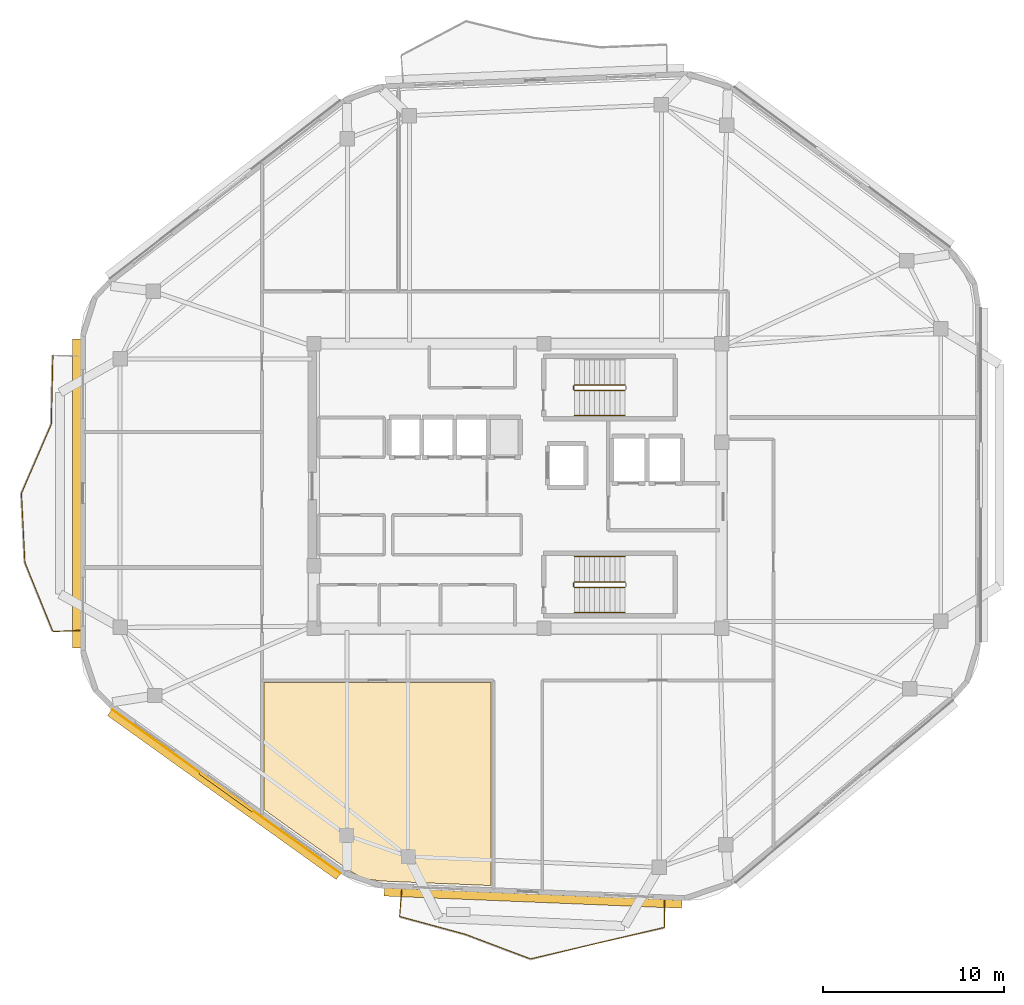
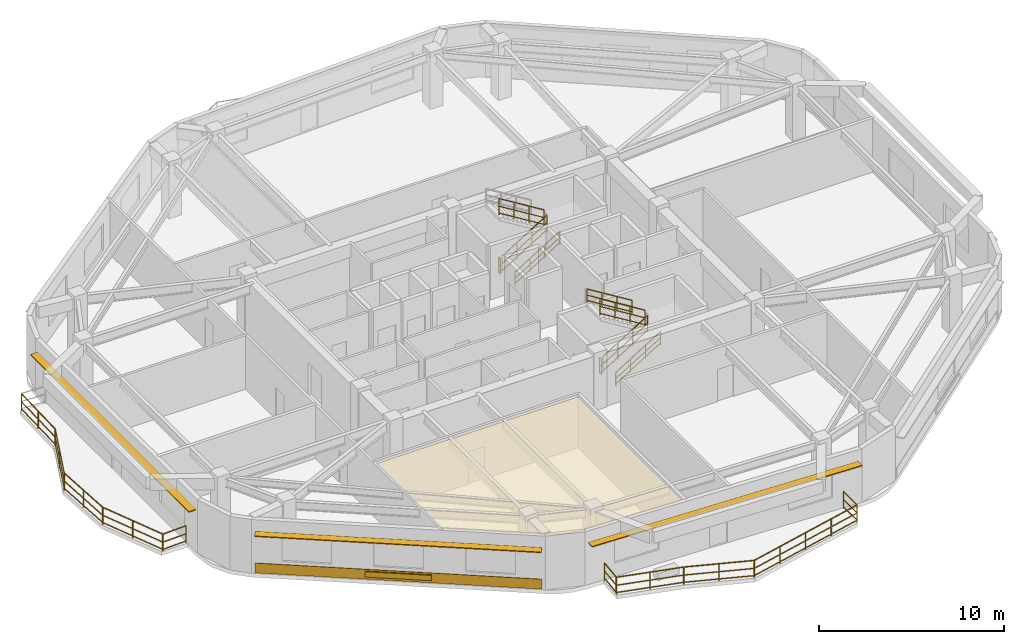
# One storey, part 7 of 10: 19 railings, 4 shading devices, 2 coverings.
"""IFC4 building model written with IfcOpenShell, lengths in metres."""

from ifc_helpers import new_model, si_unit, direction, frame, origin, origin_2d, place, context, subcontext, project, spatial, polyline, rectangle, outline, extrude, material, layer, layer_set, type_object, element, save


model = new_model("IFC4")

# Units and contexts
model_context = context("Model", 3, precision=1e-05, world=origin(), true_north=direction((0.0, 1.0)))
body_context = subcontext(model_context, "Body", "Model", "MODEL_VIEW")
ifc_project = project(units=[si_unit("LENGTHUNIT", "METRE"), si_unit("AREAUNIT", "SQUARE_METRE"), si_unit("VOLUMEUNIT", "CUBIC_METRE"), si_unit("PLANEANGLEUNIT", "RADIAN"), si_unit("MASSUNIT", "GRAM", prefix="KILO")], contexts=[model_context])

# Site, building, storey
site_placement = place(None, origin())
site = spatial("IfcSite", under=ifc_project, at=site_placement, CompositionType="ELEMENT")
building_placement = place(site_placement, origin())
building = spatial("IfcBuilding", under=site, at=building_placement, Name="Zulverin Broadcast Headquarters", CompositionType="ELEMENT")
storey_placement = place(building_placement, frame((0.0, 0.0, 282.0)))
storey = spatial("IfcBuildingStorey", under=building, at=storey_placement, Name="L72", CompositionType="ELEMENT", Elevation=282.0)

# Coverings
ifc_material_1 = material(Name="Perforated pale-metal acoustic baffle ceiling", Category="aluminium")
ifc_layer_1 = layer(ifc_material_1, 0.0400390625, Name="Perforated pale-metal acoustic baffle ceiling", Category="aluminium")
ifc_layer_set_1 = layer_set([ifc_layer_1], Name="Perforated pale-metal acoustic baffle ceiling")
covering_type_1 = type_object("IfcCoveringType", Name="COV-CEIL-ACOU", PredefinedType="CEILING", material=ifc_layer_set_1)
covering_1_placement = place(storey_placement, frame((0.0, 0.0, 3.360107421875)))
element("IfcCovering", 1, at=covering_1_placement, inside=storey, type_object=covering_type_1, Name="L72 Acoustic Baffle Ceiling 03", PredefinedType="CEILING", context=body_context, shape_type="SweptSolid", body=[
    extrude(outline(polyline([(28.1640625, 3.656005859375), (28.7880859375, 3.444091796875), (29.4599609375, 3.35205078125), (35.531982421875, 3.10009765625), (35.531982421875, 14.33203125), (22.968017578125, 14.33203125), (22.968017578125, 7.300048828125), (27.580078125, 3.99609375), (28.1640625, 3.656005859375)])), origin(), (0.0, 0.0, 1.0), 0.039794921875),
])
ifc_material_2 = material(Name="Brushed pale-aluminium rainscreen cladding", Category="aluminium")
ifc_layer_2 = layer(ifc_material_2, 0.0400390625, Name="Brushed pale-aluminium rainscreen cladding", Category="aluminium")
ifc_layer_set_2 = layer_set([ifc_layer_2], Name="Brushed pale-aluminium rainscreen cladding")
covering_type_2 = type_object("IfcCoveringType", Name="COV-CLAD-PALE", PredefinedType="CLADDING", material=ifc_layer_set_2)
covering_2_placement = place(storey_placement, frame((20.869873046875, 8.30419921875, 0.054931640625), z_axis=(0.0, 0.0, 1.0), x_axis=(0.812809068128, -0.582530187002, 0.0)))
element("IfcCovering", 2, at=covering_2_placement, inside=storey, type_object=covering_type_2, Name="L72 Brushed Pale-Aluminium Spandrel Cladding 8", PredefinedType="CLADDING", context=body_context, shape_type="SweptSolid", body=[
    extrude(rectangle(XDim=15.567626953125, YDim=0.0400390625, at=origin_2d()), origin(), (0.0, 0.0, 1.0), 0.64990234375),
])

# Railings
ifc_material_3 = material(Name="Brushed stainless steel & laminated glass balustrade", Category="steel")
railing_type_1 = type_object("IfcRailingType", Name="RL-GUARD-1150", PredefinedType="GUARDRAIL", material=ifc_material_3)
railing_1_placement = place(storey_placement, frame((11.27978515625, 32.43310546875, 0.0)))
element("IfcRailing", 3, at=railing_1_placement, inside=storey, type_object=railing_type_1, Name="L72 Vertical-Forest Balcony Guardrail BAL_W Segment 02", PredefinedType="GUARDRAIL", context=body_context, shape_type="SweptSolid", body=[
    extrude(rectangle(XDim=0.048095703125, YDim=0.048095703125, at=origin_2d()), frame((0.0, 0.0, 1.1259765625), z_axis=(-0.023286907792, -0.999728823194, 0.0), x_axis=(0.999728823194, -0.023286907792, 0.0)), (0.0, 0.0, 1.0), 3.795166015625),
    extrude(rectangle(XDim=0.0419921875, YDim=0.0419921875, at=origin_2d()), frame((0.0, 0.0, 0.597900390625), z_axis=(-0.023286907792, -0.999728823194, 0.0), x_axis=(0.999728823194, -0.023286907792, 0.0)), (0.0, 0.0, 1.0), 3.795166015625),
    extrude(rectangle(XDim=0.0419921875, YDim=0.0419921875, at=origin_2d()), frame((0.0, 0.0, 0.1201171875), z_axis=(-0.023286907792, -0.999728823194, 0.0), x_axis=(0.999728823194, -0.023286907792, 0.0)), (0.0, 0.0, 1.0), 3.795166015625),
    extrude(rectangle(XDim=0.0419921875, YDim=0.0419921875, at=origin_2d()), origin(), (0.0, 0.0, 1.0), 1.101806640625),
    extrude(rectangle(XDim=0.0419921875, YDim=0.0419921875, at=origin_2d()), frame((-0.044189453125, -1.89697265625, 0.0)), (0.0, 0.0, 1.0), 1.101806640625),
    extrude(rectangle(XDim=0.0419921875, YDim=0.0419921875, at=origin_2d()), frame((-0.08837890625, -3.794189453125, 0.0)), (0.0, 0.0, 1.0), 1.101806640625),
])
railing_2_placement = place(storey_placement, frame((11.18505859375, 28.610107421875, 0.0)))
element("IfcRailing", 4, at=railing_2_placement, inside=storey, type_object=railing_type_1, Name="L72 Vertical-Forest Balcony Guardrail BAL_W Segment 03", PredefinedType="GUARDRAIL", context=body_context, shape_type="SweptSolid", body=[
    extrude(rectangle(XDim=0.048095703125, YDim=0.048095703125, at=origin_2d()), frame((0.0, 0.0, 1.1259765625), z_axis=(-0.396596589329, -0.917992998521, 0.0), x_axis=(0.917992998521, -0.396596589329, 0.0)), (0.0, 0.0, 1.0), 4.135498046875),
    extrude(rectangle(XDim=0.0419921875, YDim=0.0419921875, at=origin_2d()), frame((0.0, 0.0, 0.597900390625), z_axis=(-0.396596589329, -0.917992998521, 0.0), x_axis=(0.917992998521, -0.396596589329, 0.0)), (0.0, 0.0, 1.0), 4.135498046875),
    extrude(rectangle(XDim=0.0419921875, YDim=0.0419921875, at=origin_2d()), frame((0.0, 0.0, 0.1201171875), z_axis=(-0.396596589329, -0.917992998521, 0.0), x_axis=(0.917992998521, -0.396596589329, 0.0)), (0.0, 0.0, 1.0), 4.135498046875),
    extrude(rectangle(XDim=0.0419921875, YDim=0.0419921875, at=origin_2d()), origin(), (0.0, 0.0, 1.0), 1.101806640625),
    extrude(rectangle(XDim=0.0419921875, YDim=0.0419921875, at=origin_2d()), frame((-0.820068359375, -1.898193359375, 0.0)), (0.0, 0.0, 1.0), 1.101806640625),
    extrude(rectangle(XDim=0.0419921875, YDim=0.0419921875, at=origin_2d()), frame((-1.64013671875, -3.79638671875, 0.0)), (0.0, 0.0, 1.0), 1.101806640625),
])
railing_3_placement = place(storey_placement, frame((9.539794921875, 24.784912109375, 0.0)))
element("IfcRailing", 5, at=railing_3_placement, inside=storey, type_object=railing_type_1, Name="L72 Vertical-Forest Balcony Guardrail BAL_W Segment 04", PredefinedType="GUARDRAIL", context=body_context, shape_type="SweptSolid", body=[
    extrude(rectangle(XDim=0.048095703125, YDim=0.048095703125, at=origin_2d()), frame((0.0, 0.0, 1.1259765625), z_axis=(0.049806199623, -0.998758901076, 0.0), x_axis=(0.998758901076, 0.049806199623, 0.0)), (0.0, 0.0, 1.0), 3.798828125),
    extrude(rectangle(XDim=0.0419921875, YDim=0.0419921875, at=origin_2d()), frame((0.0, 0.0, 0.597900390625), z_axis=(0.049806199623, -0.998758901076, 0.0), x_axis=(0.998758901076, 0.049806199623, 0.0)), (0.0, 0.0, 1.0), 3.798828125),
    extrude(rectangle(XDim=0.0419921875, YDim=0.0419921875, at=origin_2d()), frame((0.0, 0.0, 0.1201171875), z_axis=(0.049806199623, -0.998758901076, 0.0), x_axis=(0.998758901076, 0.049806199623, 0.0)), (0.0, 0.0, 1.0), 3.798828125),
    extrude(rectangle(XDim=0.0419921875, YDim=0.0419921875, at=origin_2d()), origin(), (0.0, 0.0, 1.0), 1.101806640625),
    extrude(rectangle(XDim=0.0419921875, YDim=0.0419921875, at=origin_2d()), frame((0.0947265625, -1.89697265625, 0.0)), (0.0, 0.0, 1.0), 1.101806640625),
    extrude(rectangle(XDim=0.0419921875, YDim=0.0419921875, at=origin_2d()), frame((0.189208984375, -3.794189453125, 0.0)), (0.0, 0.0, 1.0), 1.101806640625),
])
railing_4_placement = place(storey_placement, frame((9.735107421875, 20.9619140625, 0.0)))
element("IfcRailing", 6, at=railing_4_placement, inside=storey, type_object=railing_type_1, Name="L72 Vertical-Forest Balcony Guardrail BAL_W Segment 05", PredefinedType="GUARDRAIL", context=body_context, shape_type="SweptSolid", body=[
    extrude(rectangle(XDim=0.048095703125, YDim=0.048095703125, at=origin_2d()), frame((0.0, 0.0, 1.1259765625), z_axis=(0.375753525399, -0.926719638375, 0.0), x_axis=(0.926719638375, 0.375753525399, 0.0)), (0.0, 0.0, 1.0), 4.0966796875),
    extrude(rectangle(XDim=0.0419921875, YDim=0.0419921875, at=origin_2d()), frame((0.0, 0.0, 0.597900390625), z_axis=(0.375753525399, -0.926719638375, 0.0), x_axis=(0.926719638375, 0.375753525399, 0.0)), (0.0, 0.0, 1.0), 4.0966796875),
    extrude(rectangle(XDim=0.0419921875, YDim=0.0419921875, at=origin_2d()), frame((0.0, 0.0, 0.1201171875), z_axis=(0.375753525399, -0.926719638375, 0.0), x_axis=(0.926719638375, 0.375753525399, 0.0)), (0.0, 0.0, 1.0), 4.0966796875),
    extrude(rectangle(XDim=0.0419921875, YDim=0.0419921875, at=origin_2d()), origin(), (0.0, 0.0, 1.0), 1.101806640625),
    extrude(rectangle(XDim=0.0419921875, YDim=0.0419921875, at=origin_2d()), frame((0.76953125, -1.898193359375, 0.0)), (0.0, 0.0, 1.0), 1.101806640625),
    extrude(rectangle(XDim=0.0419921875, YDim=0.0419921875, at=origin_2d()), frame((1.539306640625, -3.79638671875, 0.0)), (0.0, 0.0, 1.0), 1.101806640625),
])
railing_5_placement = place(storey_placement, frame((11.294921875, 17.15234375, 0.0)))
element("IfcRailing", 7, at=railing_5_placement, inside=storey, type_object=railing_type_1, Name="L72 Vertical-Forest Balcony Guardrail BAL_W Segment 06", PredefinedType="GUARDRAIL", context=body_context, shape_type="SweptSolid", body=[
    extrude(rectangle(XDim=0.048095703125, YDim=0.048095703125, at=origin_2d()), frame((0.0, 0.0, 1.1259765625), z_axis=(0.999181155166, 0.040460093435, 0.0), x_axis=(-0.040460093435, 0.999181155166, 0.0)), (0.0, 0.0, 1.0), 1.46630859375),
    extrude(rectangle(XDim=0.0419921875, YDim=0.0419921875, at=origin_2d()), frame((0.0, 0.0, 0.597900390625), z_axis=(0.999181155166, 0.040460093435, 0.0), x_axis=(-0.040460093435, 0.999181155166, 0.0)), (0.0, 0.0, 1.0), 1.46630859375),
    extrude(rectangle(XDim=0.0419921875, YDim=0.0419921875, at=origin_2d()), frame((0.0, 0.0, 0.1201171875), z_axis=(0.999181155166, 0.040460093435, 0.0), x_axis=(-0.040460093435, 0.999181155166, 0.0)), (0.0, 0.0, 1.0), 1.46630859375),
    extrude(rectangle(XDim=0.0419921875, YDim=0.0419921875, at=origin_2d()), origin(), (0.0, 0.0, 1.0), 1.101806640625),
    extrude(rectangle(XDim=0.0419921875, YDim=0.0419921875, at=origin_2d()), frame((1.465087890625, 0.059326171875, 0.0)), (0.0, 0.0, 1.0), 1.101806640625),
])
railing_6_placement = place(storey_placement, frame((30.580078125, 2.86572265625, 0.0)))
element("IfcRailing", 8, at=railing_6_placement, inside=storey, type_object=railing_type_1, Name="L72 Vertical-Forest Balcony Guardrail BAL_S Segment 01", PredefinedType="GUARDRAIL", context=body_context, shape_type="SweptSolid", body=[
    extrude(rectangle(XDim=0.048095703125, YDim=0.048095703125, at=origin_2d()), frame((0.0, 0.0, 1.1259765625), z_axis=(-0.08159832835, -0.996665296281, 0.0), x_axis=(0.996665296281, -0.08159832835, 0.0)), (0.0, 0.0, 1.0), 1.466064453125),
    extrude(rectangle(XDim=0.0419921875, YDim=0.0419921875, at=origin_2d()), frame((0.0, 0.0, 0.597900390625), z_axis=(-0.08159832835, -0.996665296281, 0.0), x_axis=(0.996665296281, -0.08159832835, 0.0)), (0.0, 0.0, 1.0), 1.466064453125),
    extrude(rectangle(XDim=0.0419921875, YDim=0.0419921875, at=origin_2d()), frame((0.0, 0.0, 0.1201171875), z_axis=(-0.08159832835, -0.996665296281, 0.0), x_axis=(0.996665296281, -0.08159832835, 0.0)), (0.0, 0.0, 1.0), 1.466064453125),
    extrude(rectangle(XDim=0.0419921875, YDim=0.0419921875, at=origin_2d()), origin(), (0.0, 0.0, 1.0), 1.101806640625),
    extrude(rectangle(XDim=0.0419921875, YDim=0.0419921875, at=origin_2d()), frame((-0.11962890625, -1.461181640625, 0.0)), (0.0, 0.0, 1.0), 1.101806640625),
])
railing_7_placement = place(storey_placement, frame((30.473876953125, 1.385498046875, 0.0)))
element("IfcRailing", 9, at=railing_7_placement, inside=storey, type_object=railing_type_1, Name="L72 Vertical-Forest Balcony Guardrail BAL_S Segment 02", PredefinedType="GUARDRAIL", context=body_context, shape_type="SweptSolid", body=[
    extrude(rectangle(XDim=0.048095703125, YDim=0.048095703125, at=origin_2d()), frame((0.0, 0.0, 1.1259765625), z_axis=(0.96510111306, -0.261877531627, 0.0), x_axis=(0.261877531627, 0.96510111306, 0.0)), (0.0, 0.0, 1.0), 3.73291015625),
    extrude(rectangle(XDim=0.0419921875, YDim=0.0419921875, at=origin_2d()), frame((0.0, 0.0, 0.597900390625), z_axis=(0.96510111306, -0.261877531627, 0.0), x_axis=(0.261877531627, 0.96510111306, 0.0)), (0.0, 0.0, 1.0), 3.73291015625),
    extrude(rectangle(XDim=0.0419921875, YDim=0.0419921875, at=origin_2d()), frame((0.0, 0.0, 0.1201171875), z_axis=(0.96510111306, -0.261877531627, 0.0), x_axis=(0.261877531627, 0.96510111306, 0.0)), (0.0, 0.0, 1.0), 3.73291015625),
    extrude(rectangle(XDim=0.0419921875, YDim=0.0419921875, at=origin_2d()), origin(), (0.0, 0.0, 1.0), 1.101806640625),
    extrude(rectangle(XDim=0.0419921875, YDim=0.0419921875, at=origin_2d()), frame((1.80126953125, -0.48876953125, 0.0)), (0.0, 0.0, 1.0), 1.101806640625),
    extrude(rectangle(XDim=0.0419921875, YDim=0.0419921875, at=origin_2d()), frame((3.6025390625, -0.9775390625, 0.0)), (0.0, 0.0, 1.0), 1.101806640625),
])
railing_8_placement = place(storey_placement, frame((34.10498046875, 0.398681640625, 0.0)))
element("IfcRailing", 10, at=railing_8_placement, inside=storey, type_object=railing_type_1, Name="L72 Vertical-Forest Balcony Guardrail BAL_S Segment 03", PredefinedType="GUARDRAIL", context=body_context, shape_type="SweptSolid", body=[
    extrude(rectangle(XDim=0.048095703125, YDim=0.048095703125, at=origin_2d()), frame((0.0, 0.0, 1.1259765625), z_axis=(0.935636632509, -0.352964717653, 0.0), x_axis=(0.352964717653, 0.935636632509, 0.0)), (0.0, 0.0, 1.0), 3.834716796875),
    extrude(rectangle(XDim=0.0419921875, YDim=0.0419921875, at=origin_2d()), frame((0.0, 0.0, 0.597900390625), z_axis=(0.935636632509, -0.352964717653, 0.0), x_axis=(0.352964717653, 0.935636632509, 0.0)), (0.0, 0.0, 1.0), 3.834716796875),
    extrude(rectangle(XDim=0.0419921875, YDim=0.0419921875, at=origin_2d()), frame((0.0, 0.0, 0.1201171875), z_axis=(0.935636632509, -0.352964717653, 0.0), x_axis=(0.352964717653, 0.935636632509, 0.0)), (0.0, 0.0, 1.0), 3.834716796875),
    extrude(rectangle(XDim=0.0419921875, YDim=0.0419921875, at=origin_2d()), origin(), (0.0, 0.0, 1.0), 1.101806640625),
    extrude(rectangle(XDim=0.0419921875, YDim=0.0419921875, at=origin_2d()), frame((1.7939453125, -0.6767578125, 0.0)), (0.0, 0.0, 1.0), 1.101806640625),
    extrude(rectangle(XDim=0.0419921875, YDim=0.0419921875, at=origin_2d()), frame((3.587890625, -1.353515625, 0.0)), (0.0, 0.0, 1.0), 1.101806640625),
])
railing_9_placement = place(storey_placement, frame((37.721435546875, -0.956787109375, 0.0)))
element("IfcRailing", 11, at=railing_9_placement, inside=storey, type_object=railing_type_1, Name="L72 Vertical-Forest Balcony Guardrail BAL_S Segment 04", PredefinedType="GUARDRAIL", context=body_context, shape_type="SweptSolid", body=[
    extrude(rectangle(XDim=0.048095703125, YDim=0.048095703125, at=origin_2d()), frame((0.0, 0.0, 1.1259765625), z_axis=(0.973361871209, 0.229274219391, 0.0), x_axis=(-0.229274219391, 0.973361871209, 0.0)), (0.0, 0.0, 1.0), 7.589111328125),
    extrude(rectangle(XDim=0.0419921875, YDim=0.0419921875, at=origin_2d()), frame((0.0, 0.0, 0.597900390625), z_axis=(0.973361871209, 0.229274219391, 0.0), x_axis=(-0.229274219391, 0.973361871209, 0.0)), (0.0, 0.0, 1.0), 7.589111328125),
    extrude(rectangle(XDim=0.0419921875, YDim=0.0419921875, at=origin_2d()), frame((0.0, 0.0, 0.1201171875), z_axis=(0.973361871209, 0.229274219391, 0.0), x_axis=(-0.229274219391, 0.973361871209, 0.0)), (0.0, 0.0, 1.0), 7.589111328125),
    extrude(rectangle(XDim=0.0419921875, YDim=0.0419921875, at=origin_2d()), origin(), (0.0, 0.0, 1.0), 1.101806640625),
    extrude(rectangle(XDim=0.0419921875, YDim=0.0419921875, at=origin_2d()), frame((1.8466796875, 0.43505859375, 0.0)), (0.0, 0.0, 1.0), 1.101806640625),
    extrude(rectangle(XDim=0.0419921875, YDim=0.0419921875, at=origin_2d()), frame((3.693359375, 0.8701171875, 0.0)), (0.0, 0.0, 1.0), 1.101806640625),
    extrude(rectangle(XDim=0.0419921875, YDim=0.0419921875, at=origin_2d()), frame((5.540283203125, 1.304931640625, 0.0)), (0.0, 0.0, 1.0), 1.101806640625),
    extrude(rectangle(XDim=0.0419921875, YDim=0.0419921875, at=origin_2d()), frame((7.386962890625, 1.739990234375, 0.0)), (0.0, 0.0, 1.0), 1.101806640625),
])
railing_10_placement = place(storey_placement, frame((45.123046875, 0.8017578125, 0.0)))
element("IfcRailing", 12, at=railing_10_placement, inside=storey, type_object=railing_type_1, Name="L72 Vertical-Forest Balcony Guardrail BAL_S Segment 05", PredefinedType="GUARDRAIL", context=body_context, shape_type="SweptSolid", body=[
    extrude(rectangle(XDim=0.048095703125, YDim=0.048095703125, at=origin_2d()), frame((0.0, 0.0, 1.1259765625), z_axis=(0.000499500437, 0.99999987525, 0.0), x_axis=(-0.99999987525, 0.000499500437, 0.0)), (0.0, 0.0, 1.0), 1.46630859375),
    extrude(rectangle(XDim=0.0419921875, YDim=0.0419921875, at=origin_2d()), frame((0.0, 0.0, 0.597900390625), z_axis=(0.000499500437, 0.99999987525, 0.0), x_axis=(-0.99999987525, 0.000499500437, 0.0)), (0.0, 0.0, 1.0), 1.46630859375),
    extrude(rectangle(XDim=0.0419921875, YDim=0.0419921875, at=origin_2d()), frame((0.0, 0.0, 0.1201171875), z_axis=(0.000499500437, 0.99999987525, 0.0), x_axis=(-0.99999987525, 0.000499500437, 0.0)), (0.0, 0.0, 1.0), 1.46630859375),
    extrude(rectangle(XDim=0.0419921875, YDim=0.0419921875, at=origin_2d()), origin(), (0.0, 0.0, 1.0), 1.101806640625),
    extrude(rectangle(XDim=0.0419921875, YDim=0.0419921875, at=origin_2d()), frame((0.000732421875, 1.46630859375, 0.0)), (0.0, 0.0, 1.0), 1.101806640625),
])
ifc_material_4 = material(Name="Painted galvanized steel tubular guardrail S355JR", Category="steel")
railing_type_2 = type_object("IfcRailingType", Name="RL-ST-GUARD", PredefinedType="GUARDRAIL", material=ifc_material_4)
railing_11_placement = place(storey_placement, frame((40.1298828125, 30.5, 0.172607421875)))
element("IfcRailing", 13, at=railing_11_placement, inside=storey, type_object=railing_type_2, Name="L72 ST-1 stair guard 1", PredefinedType="GUARDRAIL", context=body_context, shape_type="SweptSolid", body=[
    extrude(rectangle(XDim=0.048095703125, YDim=0.048095703125, at=origin_2d()), frame((0.0, 0.0, 1.076171875), z_axis=(0.851089632645, 0.0, 0.525020415988), x_axis=(0.0, 1.0, 0.0)), (0.0, 0.0, 1.0), 3.2900390625),
    extrude(rectangle(XDim=0.0419921875, YDim=0.0419921875, at=origin_2d()), frame((0.0, 0.0, 0.572021484375), z_axis=(0.851089632645, 0.0, 0.525020415988), x_axis=(0.0, 1.0, 0.0)), (0.0, 0.0, 1.0), 3.2900390625),
    extrude(rectangle(XDim=0.0419921875, YDim=0.0419921875, at=origin_2d()), frame((0.0, 0.0, 0.1201171875), z_axis=(0.851089632645, 0.0, 0.525020415988), x_axis=(0.0, 1.0, 0.0)), (0.0, 0.0, 1.0), 3.2900390625),
    extrude(rectangle(XDim=0.0419921875, YDim=0.0419921875, at=origin_2d()), origin(), (0.0, 0.0, 1.0), 1.052001953125),
    extrude(rectangle(XDim=0.0419921875, YDim=0.0419921875, at=origin_2d()), frame((0.933349609375, 0.0, 0.57568359375)), (0.0, 0.0, 1.0), 1.052001953125),
    extrude(rectangle(XDim=0.0419921875, YDim=0.0419921875, at=origin_2d()), frame((1.86669921875, 0.0, 1.151611328125)), (0.0, 0.0, 1.0), 1.052001953125),
    extrude(rectangle(XDim=0.0419921875, YDim=0.0419921875, at=origin_2d()), frame((2.800048828125, 0.0, 1.727294921875)), (0.0, 0.0, 1.0), 1.052001953125),
])
railing_12_placement = place(storey_placement, frame((42.929931640625, 30.800048828125, 2.07275390625)))
element("IfcRailing", 14, at=railing_12_placement, inside=storey, type_object=railing_type_2, Name="L72 ST-1 stair guard 3", PredefinedType="GUARDRAIL", context=body_context, shape_type="SweptSolid", body=[
    extrude(rectangle(XDim=0.048095703125, YDim=0.048095703125, at=origin_2d()), frame((0.0, 0.0, 1.076171875), z_axis=(-0.851089632645, 0.0, 0.525020415988), x_axis=(0.0, -1.0, 0.0)), (0.0, 0.0, 1.0), 3.2900390625),
    extrude(rectangle(XDim=0.0419921875, YDim=0.0419921875, at=origin_2d()), frame((0.0, 0.0, 0.572021484375), z_axis=(-0.851089632645, 0.0, 0.525020415988), x_axis=(0.0, -1.0, 0.0)), (0.0, 0.0, 1.0), 3.2900390625),
    extrude(rectangle(XDim=0.0419921875, YDim=0.0419921875, at=origin_2d()), frame((0.0, 0.0, 0.1201171875), z_axis=(-0.851089632645, 0.0, 0.525020415988), x_axis=(0.0, -1.0, 0.0)), (0.0, 0.0, 1.0), 3.2900390625),
    extrude(rectangle(XDim=0.0419921875, YDim=0.0419921875, at=origin_2d()), origin(), (0.0, 0.0, 1.0), 1.052001953125),
    extrude(rectangle(XDim=0.0419921875, YDim=0.0419921875, at=origin_2d()), frame((-0.933349609375, 0.0, 0.57568359375)), (0.0, 0.0, 1.0), 1.052001953125),
    extrude(rectangle(XDim=0.0419921875, YDim=0.0419921875, at=origin_2d()), frame((-1.86669921875, 0.0, 1.151611328125)), (0.0, 0.0, 1.0), 1.052001953125),
    extrude(rectangle(XDim=0.0419921875, YDim=0.0419921875, at=origin_2d()), frame((-2.800048828125, 0.0, 1.727294921875)), (0.0, 0.0, 1.0), 1.052001953125),
])
railing_13_placement = place(storey_placement, frame((40.080078125, 30.550048828125, 0.0)))
element("IfcRailing", 15, at=railing_13_placement, inside=storey, type_object=railing_type_2, Name="L72 ST-1 stair guard 4", PredefinedType="GUARDRAIL", context=body_context, shape_type="SweptSolid", body=[
    extrude(rectangle(XDim=0.048095703125, YDim=0.048095703125, at=origin_2d()), frame((0.0, 0.0, 1.076171875), z_axis=(0.0, 1.0, 0.0), x_axis=(-1.0, 0.0, 0.0)), (0.0, 0.0, 1.0), 0.199951171875),
    extrude(rectangle(XDim=0.0419921875, YDim=0.0419921875, at=origin_2d()), frame((0.0, 0.0, 0.572021484375), z_axis=(0.0, 1.0, 0.0), x_axis=(-1.0, 0.0, 0.0)), (0.0, 0.0, 1.0), 0.199951171875),
    extrude(rectangle(XDim=0.0419921875, YDim=0.0419921875, at=origin_2d()), frame((0.0, 0.0, 0.1201171875), z_axis=(0.0, 1.0, 0.0), x_axis=(-1.0, 0.0, 0.0)), (0.0, 0.0, 1.0), 0.199951171875),
    extrude(rectangle(XDim=0.0419921875, YDim=0.0419921875, at=origin_2d()), origin(), (0.0, 0.0, 1.0), 1.052001953125),
    extrude(rectangle(XDim=0.0419921875, YDim=0.0419921875, at=origin_2d()), frame((0.0, 0.199951171875, 0.0)), (0.0, 0.0, 1.0), 1.052001953125),
])
railing_14_placement = place(storey_placement, frame((40.1298828125, 19.60009765625, 0.172607421875)))
element("IfcRailing", 16, at=railing_14_placement, inside=storey, type_object=railing_type_2, Name="L72 ST-2 stair guard 1", PredefinedType="GUARDRAIL", context=body_context, shape_type="SweptSolid", body=[
    extrude(rectangle(XDim=0.048095703125, YDim=0.048095703125, at=origin_2d()), frame((0.0, 0.0, 1.076171875), z_axis=(0.851089632645, 0.0, 0.525020415988), x_axis=(0.0, 1.0, 0.0)), (0.0, 0.0, 1.0), 3.2900390625),
    extrude(rectangle(XDim=0.0419921875, YDim=0.0419921875, at=origin_2d()), frame((0.0, 0.0, 0.572021484375), z_axis=(0.851089632645, 0.0, 0.525020415988), x_axis=(0.0, 1.0, 0.0)), (0.0, 0.0, 1.0), 3.2900390625),
    extrude(rectangle(XDim=0.0419921875, YDim=0.0419921875, at=origin_2d()), frame((0.0, 0.0, 0.1201171875), z_axis=(0.851089632645, 0.0, 0.525020415988), x_axis=(0.0, 1.0, 0.0)), (0.0, 0.0, 1.0), 3.2900390625),
    extrude(rectangle(XDim=0.0419921875, YDim=0.0419921875, at=origin_2d()), origin(), (0.0, 0.0, 1.0), 1.052001953125),
    extrude(rectangle(XDim=0.0419921875, YDim=0.0419921875, at=origin_2d()), frame((0.933349609375, 0.0, 0.57568359375)), (0.0, 0.0, 1.0), 1.052001953125),
    extrude(rectangle(XDim=0.0419921875, YDim=0.0419921875, at=origin_2d()), frame((1.86669921875, 0.0, 1.151611328125)), (0.0, 0.0, 1.0), 1.052001953125),
    extrude(rectangle(XDim=0.0419921875, YDim=0.0419921875, at=origin_2d()), frame((2.800048828125, 0.0, 1.727294921875)), (0.0, 0.0, 1.0), 1.052001953125),
])
railing_15_placement = place(storey_placement, frame((42.929931640625, 19.89990234375, 2.07275390625)))
element("IfcRailing", 17, at=railing_15_placement, inside=storey, type_object=railing_type_2, Name="L72 ST-2 stair guard 3", PredefinedType="GUARDRAIL", context=body_context, shape_type="SweptSolid", body=[
    extrude(rectangle(XDim=0.048095703125, YDim=0.048095703125, at=origin_2d()), frame((0.0, 0.0, 1.076171875), z_axis=(-0.851089632645, 0.0, 0.525020415988), x_axis=(0.0, -1.0, 0.0)), (0.0, 0.0, 1.0), 3.2900390625),
    extrude(rectangle(XDim=0.0419921875, YDim=0.0419921875, at=origin_2d()), frame((0.0, 0.0, 0.572021484375), z_axis=(-0.851089632645, 0.0, 0.525020415988), x_axis=(0.0, -1.0, 0.0)), (0.0, 0.0, 1.0), 3.2900390625),
    extrude(rectangle(XDim=0.0419921875, YDim=0.0419921875, at=origin_2d()), frame((0.0, 0.0, 0.1201171875), z_axis=(-0.851089632645, 0.0, 0.525020415988), x_axis=(0.0, -1.0, 0.0)), (0.0, 0.0, 1.0), 3.2900390625),
    extrude(rectangle(XDim=0.0419921875, YDim=0.0419921875, at=origin_2d()), origin(), (0.0, 0.0, 1.0), 1.052001953125),
    extrude(rectangle(XDim=0.0419921875, YDim=0.0419921875, at=origin_2d()), frame((-0.933349609375, 0.0, 0.57568359375)), (0.0, 0.0, 1.0), 1.052001953125),
    extrude(rectangle(XDim=0.0419921875, YDim=0.0419921875, at=origin_2d()), frame((-1.86669921875, 0.0, 1.151611328125)), (0.0, 0.0, 1.0), 1.052001953125),
    extrude(rectangle(XDim=0.0419921875, YDim=0.0419921875, at=origin_2d()), frame((-2.800048828125, 0.0, 1.727294921875)), (0.0, 0.0, 1.0), 1.052001953125),
])
railing_16_placement = place(storey_placement, frame((40.080078125, 19.64990234375, 0.0)))
element("IfcRailing", 18, at=railing_16_placement, inside=storey, type_object=railing_type_2, Name="L72 ST-2 stair guard 4", PredefinedType="GUARDRAIL", context=body_context, shape_type="SweptSolid", body=[
    extrude(rectangle(XDim=0.048095703125, YDim=0.048095703125, at=origin_2d()), frame((0.0, 0.0, 1.076171875), z_axis=(0.0, 1.0, 0.0), x_axis=(-1.0, 0.0, 0.0)), (0.0, 0.0, 1.0), 0.2001953125),
    extrude(rectangle(XDim=0.0419921875, YDim=0.0419921875, at=origin_2d()), frame((0.0, 0.0, 0.572021484375), z_axis=(0.0, 1.0, 0.0), x_axis=(-1.0, 0.0, 0.0)), (0.0, 0.0, 1.0), 0.2001953125),
    extrude(rectangle(XDim=0.0419921875, YDim=0.0419921875, at=origin_2d()), frame((0.0, 0.0, 0.1201171875), z_axis=(0.0, 1.0, 0.0), x_axis=(-1.0, 0.0, 0.0)), (0.0, 0.0, 1.0), 0.2001953125),
    extrude(rectangle(XDim=0.0419921875, YDim=0.0419921875, at=origin_2d()), origin(), (0.0, 0.0, 1.0), 1.052001953125),
    extrude(rectangle(XDim=0.0419921875, YDim=0.0419921875, at=origin_2d()), frame((0.0, 0.2001953125, 0.0)), (0.0, 0.0, 1.0), 1.052001953125),
])
ifc_material_5 = material(Name="Brushed stainless steel 48 mm handrail", Category="steel")
railing_type_3 = type_object("IfcRailingType", Name="RL-ST-HAND", PredefinedType="HANDRAIL", material=ifc_material_5)
for number, where, name in (
    (19, (40.1298828125, 29.10009765625, 0.172607421875), "L72 ST-1 stair handrail 1"),
    (20, (40.1298828125, 18.199951171875, 0.172607421875), "L72 ST-2 stair handrail 1"),
):
    element("IfcRailing", number, at=place(storey_placement, frame(where)), inside=storey, type_object=railing_type_3, Name=name, PredefinedType="HANDRAIL", context=body_context, shape_type="SweptSolid", body=[
        extrude(rectangle(XDim=0.048095703125, YDim=0.048095703125, at=origin_2d()), frame((0.0, 0.0, 0.8759765625), z_axis=(0.851089632645, 0.0, 0.525020415988), x_axis=(0.0, 1.0, 0.0)), (0.0, 0.0, 1.0), 3.2900390625),
        extrude(rectangle(XDim=0.0419921875, YDim=0.0419921875, at=origin_2d()), frame((0.0, 0.0, 0.468017578125), z_axis=(0.851089632645, 0.0, 0.525020415988), x_axis=(0.0, 1.0, 0.0)), (0.0, 0.0, 1.0), 3.2900390625),
        extrude(rectangle(XDim=0.0419921875, YDim=0.0419921875, at=origin_2d()), frame((0.0, 0.0, 0.1201171875), z_axis=(0.851089632645, 0.0, 0.525020415988), x_axis=(0.0, 1.0, 0.0)), (0.0, 0.0, 1.0), 3.2900390625),
        extrude(rectangle(XDim=0.0419921875, YDim=0.0419921875, at=origin_2d()), origin(), (0.0, 0.0, 1.0), 0.851806640625),
        extrude(rectangle(XDim=0.0419921875, YDim=0.0419921875, at=origin_2d()), frame((0.933349609375, 0.0, 0.57568359375)), (0.0, 0.0, 1.0), 0.851806640625),
        extrude(rectangle(XDim=0.0419921875, YDim=0.0419921875, at=origin_2d()), frame((1.86669921875, 0.0, 1.151611328125)), (0.0, 0.0, 1.0), 0.851806640625),
        extrude(rectangle(XDim=0.0419921875, YDim=0.0419921875, at=origin_2d()), frame((2.800048828125, 0.0, 1.727294921875)), (0.0, 0.0, 1.0), 0.851806640625),
    ])
railing_17_placement = place(storey_placement, frame((42.929931640625, 21.300048828125, 2.07275390625)))
element("IfcRailing", 21, at=railing_17_placement, inside=storey, type_object=railing_type_3, Name="L72 ST-2 stair handrail 2", PredefinedType="HANDRAIL", context=body_context, shape_type="SweptSolid", body=[
    extrude(rectangle(XDim=0.048095703125, YDim=0.048095703125, at=origin_2d()), frame((0.0, 0.0, 0.8759765625), z_axis=(-0.851089632645, 0.0, 0.525020415988), x_axis=(0.0, -1.0, 0.0)), (0.0, 0.0, 1.0), 3.2900390625),
    extrude(rectangle(XDim=0.0419921875, YDim=0.0419921875, at=origin_2d()), frame((0.0, 0.0, 0.468017578125), z_axis=(-0.851089632645, 0.0, 0.525020415988), x_axis=(0.0, -1.0, 0.0)), (0.0, 0.0, 1.0), 3.2900390625),
    extrude(rectangle(XDim=0.0419921875, YDim=0.0419921875, at=origin_2d()), frame((0.0, 0.0, 0.1201171875), z_axis=(-0.851089632645, 0.0, 0.525020415988), x_axis=(0.0, -1.0, 0.0)), (0.0, 0.0, 1.0), 3.2900390625),
    extrude(rectangle(XDim=0.0419921875, YDim=0.0419921875, at=origin_2d()), origin(), (0.0, 0.0, 1.0), 0.851806640625),
    extrude(rectangle(XDim=0.0419921875, YDim=0.0419921875, at=origin_2d()), frame((-0.933349609375, 0.0, 0.57568359375)), (0.0, 0.0, 1.0), 0.851806640625),
    extrude(rectangle(XDim=0.0419921875, YDim=0.0419921875, at=origin_2d()), frame((-1.86669921875, 0.0, 1.151611328125)), (0.0, 0.0, 1.0), 0.851806640625),
    extrude(rectangle(XDim=0.0419921875, YDim=0.0419921875, at=origin_2d()), frame((-2.800048828125, 0.0, 1.727294921875)), (0.0, 0.0, 1.0), 0.851806640625),
])

# Shading devices
ifc_material_6 = material(Name="Anodized pale-metal aluminium acoustic louvre", Category="aluminium")
shading_device_type_1 = type_object("IfcShadingDeviceType", Name="SHD-LOUVRE-350", PredefinedType="USERDEFINED", material=ifc_material_6)
shading_device_1_placement = place(storey_placement, frame((20.852294921875, 8.27978515625, 0.244873046875), z_axis=(0.0, 0.0, 1.0), x_axis=(0.812809068128, -0.582530187002, 0.0)))
element("IfcShadingDevice", 22, at=shading_device_1_placement, inside=storey, type_object=shading_device_type_1, Name="L72 Spandrel Intake Louvre 8", ObjectType="LOUVRE", PredefinedType="USERDEFINED", context=body_context, shape_type="SweptSolid", body=[
    extrude(rectangle(XDim=3.60009765625, YDim=0.1201171875, at=origin_2d()), origin(), (0.0, 0.0, 1.0), 0.35009765625),
])
ifc_material_7 = material(Name="Anodized pale-metal aluminium sunshade", Category="aluminium")
ifc_layer_3 = layer(ifc_material_7, 0.06005859375, Name="Anodized pale-metal aluminium sunshade", Category="aluminium")
ifc_layer_set_3 = layer_set([ifc_layer_3], Name="Anodized pale-metal aluminium sunshade")
shading_device_type_2 = type_object("IfcShadingDeviceType", Name="SS-01_PALE_METAL_ALUMINIUM_SUNSHADE", PredefinedType="USERDEFINED", material=ifc_layer_set_3)
shading_device_2_placement = place(storey_placement, frame((37.84521484375, 2.406982421875, 2.7099609375), z_axis=(0.0, 0.0, 1.0), x_axis=(0.99915627139, -0.041070005388, 0.0)))
element("IfcShadingDevice", 23, at=shading_device_2_placement, inside=storey, type_object=shading_device_type_2, Name="L72 Horizontal Pale-Metal Sunshade Band 1", ObjectType="SUNSHADE", PredefinedType="USERDEFINED", context=body_context, shape_type="SweptSolid", body=[
    extrude(rectangle(XDim=16.47607421875, YDim=0.449951171875, at=origin_2d()), origin(), (0.0, 0.0, 1.0), 0.06005859375),
])
shading_device_3_placement = place(storey_placement, frame((12.60009765625, 24.7998046875, 2.7099609375), z_axis=(0.0, 0.0, 1.0), x_axis=(0.0, -1.0, 0.0)))
element("IfcShadingDevice", 24, at=shading_device_3_placement, inside=storey, type_object=shading_device_type_2, Name="L72 Horizontal Pale-Metal Sunshade Band 7", ObjectType="SUNSHADE", PredefinedType="USERDEFINED", context=body_context, shape_type="SweptSolid", body=[
    extrude(rectangle(XDim=17.09619140625, YDim=0.449951171875, at=origin_2d()), origin(), (0.0, 0.0, 1.0), 0.06005859375),
])
shading_device_4_placement = place(storey_placement, frame((20.75927734375, 8.149658203125, 2.7099609375), z_axis=(0.0, 0.0, 1.0), x_axis=(0.812809068128, -0.582530187002, 0.0)))
element("IfcShadingDevice", 25, at=shading_device_4_placement, inside=storey, type_object=shading_device_type_2, Name="L72 Horizontal Pale-Metal Sunshade Band 8", ObjectType="SUNSHADE", PredefinedType="USERDEFINED", context=body_context, shape_type="SweptSolid", body=[
    extrude(rectangle(XDim=15.567626953125, YDim=0.449951171875, at=origin_2d()), origin(), (0.0, 0.0, 1.0), 0.06005859375),
])

save(model, "model.ifc")
